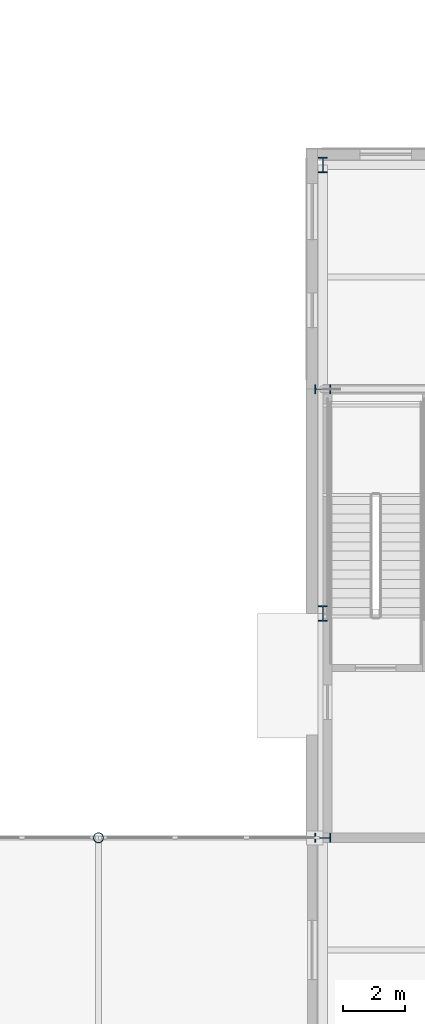
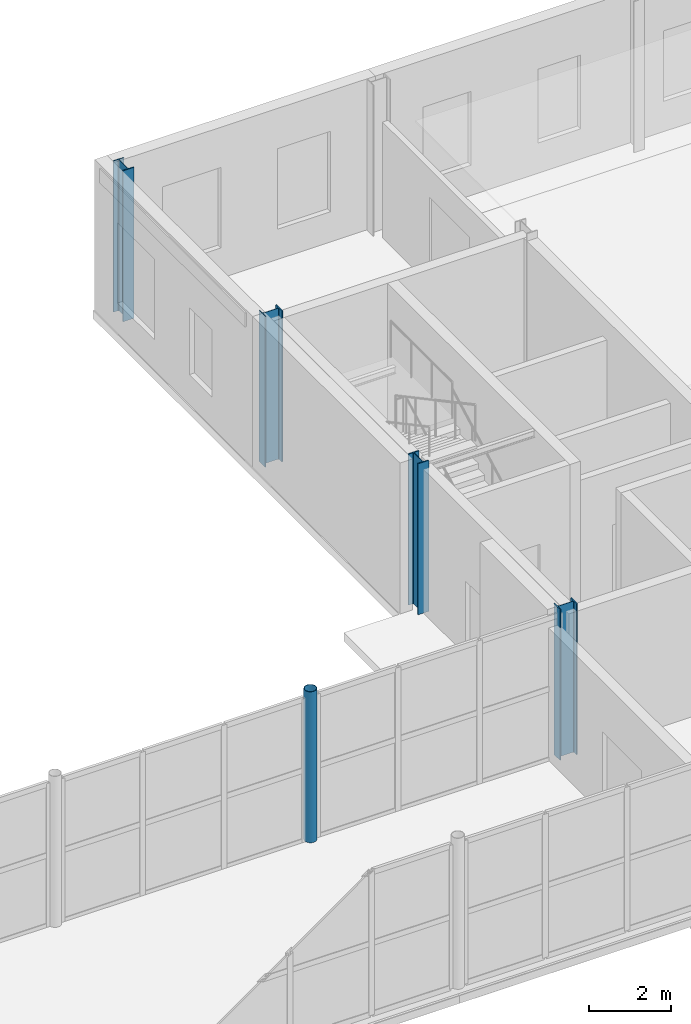
# One storey, part 13 of 92: 5 columns.
"""IFC4 building model written with IfcOpenShell, lengths in metres."""

from ifc_helpers import new_model, si_unit, direction, frame, origin, origin_2d, place, context, subcontext, project, spatial, hollow_circle, i_section, extrude, material, material_profile, profile_set, type_object, element, save


model = new_model("IFC4")

# Units and contexts
model_context = context("Model", 3, precision=1e-05, world=origin(), true_north=direction((0.0, 1.0)))
body_context = subcontext(model_context, "Body", "Model", "MODEL_VIEW")
ifc_project = project(units=[si_unit("LENGTHUNIT", "METRE"), si_unit("AREAUNIT", "SQUARE_METRE"), si_unit("VOLUMEUNIT", "CUBIC_METRE"), si_unit("PLANEANGLEUNIT", "RADIAN"), si_unit("MASSUNIT", "GRAM", prefix="KILO")], contexts=[model_context])

# Site, building, storey
site_placement = place(None, origin())
site = spatial("IfcSite", under=ifc_project, at=site_placement, CompositionType="ELEMENT")
building_placement = place(site_placement, origin())
building = spatial("IfcBuilding", under=site, at=building_placement, Name="Zlatovets Crest Museum", CompositionType="ELEMENT")
storey_placement = place(building_placement, origin())
storey = spatial("IfcBuildingStorey", under=building, at=storey_placement, Name="L00", CompositionType="ELEMENT", Elevation=0.0)

# Columns
ifc_material = material(Name="Structural steel S355J2", Category="steel")
ifc_material_profile_1 = material_profile(ifc_material, i_section(OverallWidth=0.300048828125, OverallDepth=0.5, WebThickness=0.014404296875, FlangeThickness=0.028076171875, FilletRadius=0.027099609375, at=origin_2d()), Name="HEB 500")
ifc_profile_set_1 = profile_set([ifc_material_profile_1], Name="Structural steel S355J2")
column_type_1 = type_object("IfcColumnType", Name="Col_C-05", PredefinedType="COLUMN", material=ifc_profile_set_1)
for number, where, z_axis, x_axis, name in (
    (1, (57.60009765625, 93.60009765625, 0.0), (0.0, 0.0, 1.0), (0.0, 1.0, 0.0), "V1 L00 Column (57.6, 93.6)"),
    (2, (57.60009765625, 100.800048828125, 0.0), (0.0, 0.0, 1.0), (1.0, 0.0, 0.0), "V1 L00 Column (57.6, 100.8)"),
    (3, (57.60009765625, 108.0, 0.0), (0.0, 0.0, 1.0), (0.0, 1.0, 0.0), "V1 L00 Column (57.6, 108.0)"),
    (4, (57.60009765625, 115.199951171875, 0.0), (0.0, 0.0, 1.0), (1.0, 0.0, 0.0), "V1 L00 Column (57.6, 115.2)"),
):
    element("IfcColumn", number, at=place(storey_placement, frame(where, z_axis=z_axis, x_axis=x_axis)), inside=storey, type_object=column_type_1, Name=name, PredefinedType="COLUMN", context=body_context, shape_type="SweptSolid", body=[
        extrude(i_section(OverallWidth=0.300048828125, OverallDepth=0.5, WebThickness=0.014404296875, FlangeThickness=0.028076171875, FilletRadius=0.027099609375, at=origin_2d()), origin(), (0.0, 0.0, 1.0), 4.5),
    ])
ifc_material_profile_2 = material_profile(ifc_material, hollow_circle(Radius=0.161865234375, WallThickness=0.012451171875, at=origin_2d()), Name="CHS 323.9x12.5")
ifc_profile_set_2 = profile_set([ifc_material_profile_2], Name="Structural steel S355J2")
column_type_2 = type_object("IfcColumnType", Name="Col_C-13", PredefinedType="COLUMN", material=ifc_profile_set_2)
column_placement = place(storey_placement, frame((50.39990234375, 93.60009765625, 0.0), z_axis=(0.0, 0.0, 1.0), x_axis=(1.0, 0.0, 0.0)))
element("IfcColumn", 5, at=column_placement, inside=storey, type_object=column_type_2, Name="Northwest Crest Glazed Link Bridge Portal Column", PredefinedType="COLUMN", context=body_context, shape_type="SweptSolid", body=[
    extrude(hollow_circle(Radius=0.161865234375, WallThickness=0.012451171875, at=origin_2d()), origin(), (0.0, 0.0, 1.0), 4.5),
])

save(model, "model.ifc")
